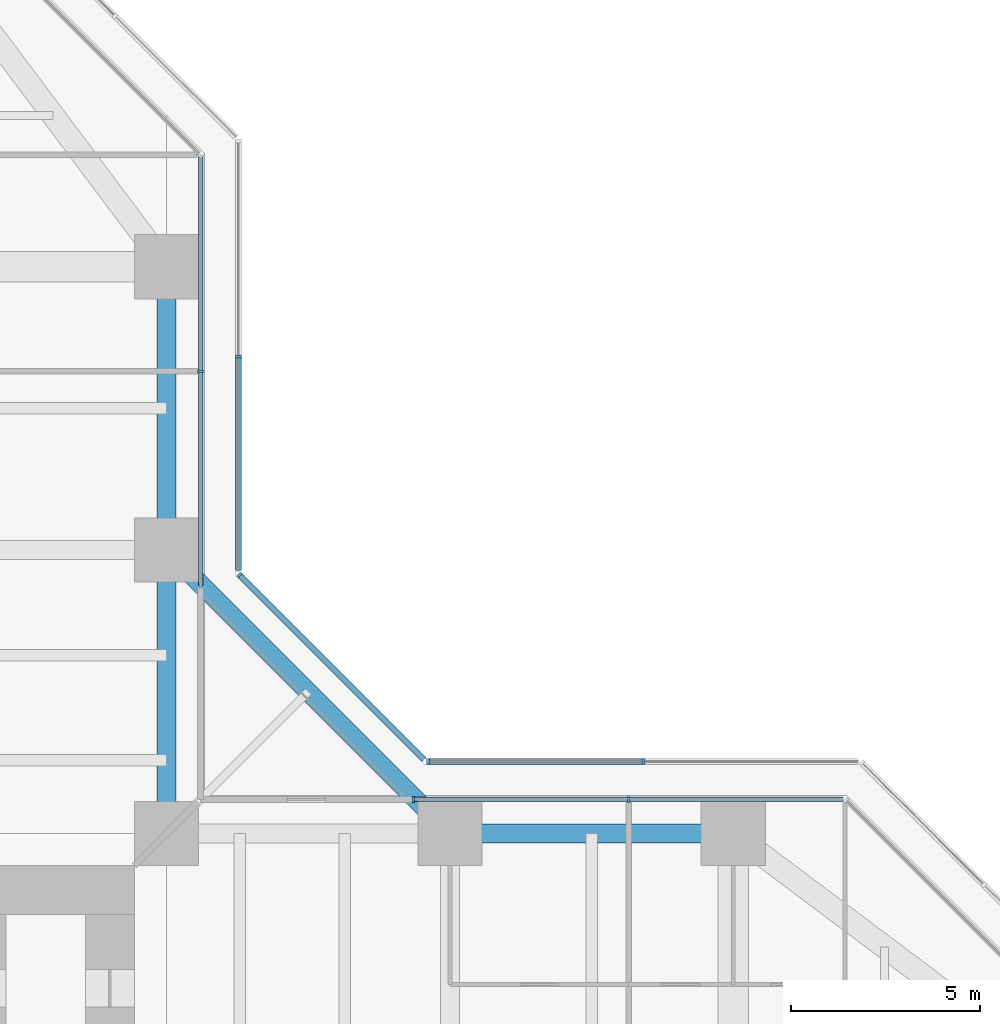
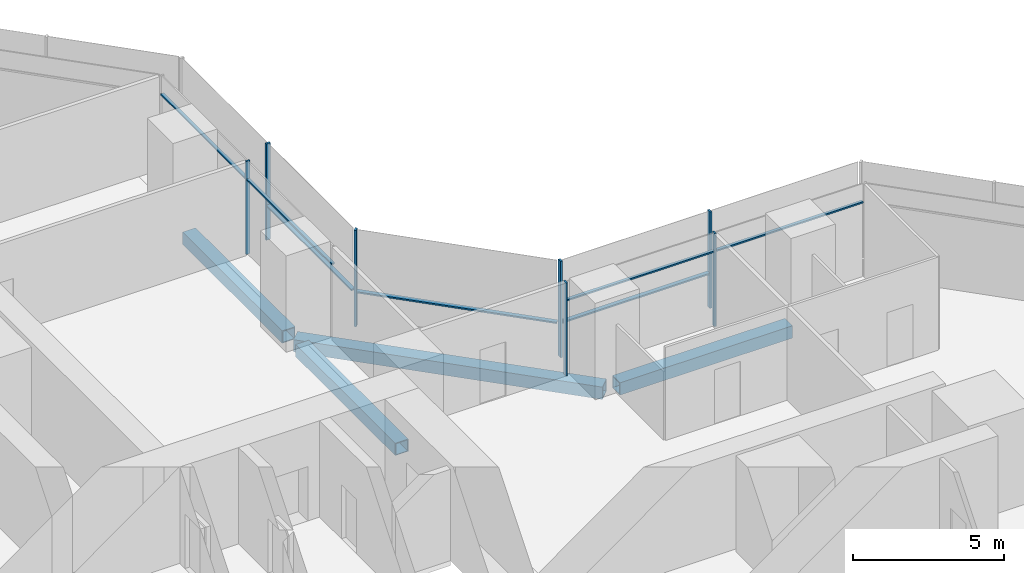
# One storey, part 11 of 22: 14 members, 4 beams, 5 elements without a shape of their own.
"""IFC4 building model written with IfcOpenShell, lengths in metres."""

from ifc_helpers import new_model, si_unit, direction, frame, origin, origin_2d, place, context, subcontext, project, spatial, rectangle, hollow_rectangle, extrude, material, material_profile, profile_set, type_object, element, aggregate, save


model = new_model("IFC4")

# Units and contexts
model_context = context("Model", 3, precision=1e-05, world=origin(), true_north=direction((0.0, 1.0)))
body_context = subcontext(model_context, "Body", "Model", "MODEL_VIEW")
ifc_project = project(units=[si_unit("LENGTHUNIT", "METRE"), si_unit("AREAUNIT", "SQUARE_METRE"), si_unit("VOLUMEUNIT", "CUBIC_METRE"), si_unit("PLANEANGLEUNIT", "RADIAN"), si_unit("MASSUNIT", "GRAM", prefix="KILO")], contexts=[model_context])

# Site, building, storey
site_placement = place(None, origin())
site = spatial("IfcSite", under=ifc_project, at=site_placement, CompositionType="ELEMENT")
building_placement = place(site_placement, origin())
building = spatial("IfcBuilding", under=site, at=building_placement, Name="Mizan Broadcast Tower", CompositionType="ELEMENT")
storey_placement = place(building_placement, frame((0.0, 0.0, 98.10009765625)))
storey = spatial("IfcBuildingStorey", under=building, at=storey_placement, Name="L21", CompositionType="ELEMENT", Elevation=98.10009765625)

# Beams
ifc_material_1 = material(Name="Steel S355", Category="steel")
ifc_material_profile_1 = material_profile(ifc_material_1, hollow_rectangle(XDim=0.5, YDim=0.5, WallThickness=0.030029296875, at=origin_2d()), Name="BOX 500x500x30")
ifc_profile_set_1 = profile_set([ifc_material_profile_1], Name="Steel S355")
beam_type = type_object("IfcBeamType", Name="EDGE BEAM BOX 500x500x30", PredefinedType="SPANDREL", material=ifc_profile_set_1)
for number, where, z_axis, x_axis, name in (
    (1, (19.949951171875, 12.0, -0.380126953125), (1.0, 0.0, 0.0), (0.0, 1.0, 0.0), "Edge beam BOX 500x500x30 L21 east arm"),
    (2, (12.0, 12.449951171875, -0.380126953125), (0.0, 1.0, 0.0), (-1.0, 0.0, 0.0), "Edge beam BOX 500x500x30 L21 north arm"),
    (3, (12.0, 19.949951171875, -0.380126953125), (0.0, 1.0, 0.0), (-1.0, 0.0, 0.0), "Edge beam BOX 500x500x30 L21 north arm"),
):
    element("IfcBeam", number, at=place(storey_placement, frame(where, z_axis=z_axis, x_axis=x_axis)), inside=storey, type_object=beam_type, Name=name, PredefinedType="SPANDREL", context=body_context, shape_type="SweptSolid", body=[
        extrude(hollow_rectangle(XDim=0.5, YDim=0.5, WallThickness=0.030029296875, at=origin_2d()), origin(), (0.0, 0.0, 1.0), 6.60009765625),
    ])
beam_placement = place(storey_placement, frame((19.5, 12.0, -0.380126953125), z_axis=(-0.707106781187, 0.707106781187, 0.0), x_axis=(-0.707106781187, -0.707106781187, 0.0)))
element("IfcBeam", 4, at=beam_placement, inside=storey, type_object=beam_type, Name="Winter garden edge beam L21 E", PredefinedType="SPANDREL", context=body_context, shape_type="SweptSolid", body=[
    extrude(hollow_rectangle(XDim=0.5, YDim=0.5, WallThickness=0.030029296875, at=origin_2d()), origin(), (0.0, 0.0, 1.0), 10.606689453125),
])

# Curtain wall, members
ifc_material_2 = material(Name="Aluminium framed glazing", Category="aluminium")
curtain_wall_type_1 = type_object("IfcCurtainWallType", Name="INNER SKIN LOW ZONE", PredefinedType="USERDEFINED", material=ifc_material_2)
curtain_wall_1_placement = place(storey_placement, origin())
curtain_wall_1 = element("IfcCurtainWall", 5, at=curtain_wall_1_placement, inside=storey, type_object=curtain_wall_type_1, Name="Inner skin low zone L21 E side", ObjectType="INNER SKIN LOW ZONE", PredefinedType="USERDEFINED")
ifc_material_3 = material(Name="Aluminium, pale anodised", Category="aluminium")
ifc_material_profile_2 = material_profile(ifc_material_3, rectangle(XDim=0.159912109375, YDim=0.06005859375, at=origin_2d()), Name="MULLION 160x60")
ifc_profile_set_2 = profile_set([ifc_material_profile_2], Name="Aluminium, pale anodised")
member_type_1 = type_object("IfcMemberType", Name="INNER SKIN MULLION 60x160", PredefinedType="MULLION", material=ifc_profile_set_2)
member_1_placement = place(storey_placement, frame((24.229248046875, 12.89990234375, 0.0), z_axis=(0.0, 0.0, 1.0), x_axis=(0.0, -1.0, 0.0)))
member_1 = element("IfcMember", 6, at=member_1_placement, type_object=member_type_1, Name="Inner skin low zone L21 E side mullion 2", PredefinedType="MULLION", context=body_context, shape_type="SweptSolid", body=[
    extrude(rectangle(XDim=0.159912109375, YDim=0.06005859375, at=origin_2d()), origin(), (0.0, 0.0, 1.0), 3.77001953125),
])
member_2_placement = place(storey_placement, frame((18.530029296875, 12.89990234375, 0.0), z_axis=(0.0, 0.0, 1.0), x_axis=(0.0, -1.0, 0.0)))
member_2 = element("IfcMember", 7, at=member_2_placement, type_object=member_type_1, Name="Inner skin low zone L21 E side mullion 3", PredefinedType="MULLION", context=body_context, shape_type="SweptSolid", body=[
    extrude(rectangle(XDim=0.159912109375, YDim=0.06005859375, at=origin_2d()), origin(), (0.0, 0.0, 1.0), 3.77001953125),
])

# Curtain wall, member
curtain_wall_2_placement = place(storey_placement, origin())
curtain_wall_2 = element("IfcCurtainWall", 8, at=curtain_wall_2_placement, inside=storey, type_object=curtain_wall_type_1, Name="Inner skin low zone L21 N side", ObjectType="INNER SKIN LOW ZONE", PredefinedType="USERDEFINED")
member_3_placement = place(storey_placement, frame((12.89990234375, 24.229248046875, 0.0), z_axis=(0.0, 0.0, 1.0), x_axis=(-1.0, 0.0, 0.0)))
member_3 = element("IfcMember", 9, at=member_3_placement, type_object=member_type_1, Name="Inner skin low zone L21 N side mullion 2", PredefinedType="MULLION", context=body_context, shape_type="SweptSolid", body=[
    extrude(rectangle(XDim=0.159912109375, YDim=0.06005859375, at=origin_2d()), origin(), (0.0, 0.0, 1.0), 3.77001953125),
])

# Member
ifc_material_4 = material(Name="Aluminium, pale anodised", Category="aluminium")
ifc_material_profile_3 = material_profile(ifc_material_4, rectangle(XDim=0.1201171875, YDim=0.06005859375, at=origin_2d()), Name="TRANSOM 120x60")
ifc_profile_set_3 = profile_set([ifc_material_profile_3], Name="Aluminium, pale anodised")
member_type_2 = type_object("IfcMemberType", Name="INNER SKIN TRANSOM 60x120", PredefinedType="USERDEFINED", material=ifc_profile_set_3)
member_4_placement = place(storey_placement, frame((29.898681640625, 12.89990234375, 3.02978515625), z_axis=(-1.0, 0.0, 0.0), x_axis=(0.0, -1.0, 0.0)))
member_4 = element("IfcMember", 10, at=member_4_placement, type_object=member_type_2, Name="Inner skin low zone L21 E side transom 1.1", ObjectType="TRANSOM", PredefinedType="USERDEFINED", context=body_context, shape_type="SweptSolid", body=[
    extrude(rectangle(XDim=0.1201171875, YDim=0.06005859375, at=origin_2d()), origin(), (0.0, 0.0, 1.0), 5.639404296875),
])

member_5_placement = place(storey_placement, frame((24.19921875, 12.89990234375, 3.02978515625), z_axis=(-1.0, 0.0, 0.0), x_axis=(0.0, -1.0, 0.0)))
member_5 = element("IfcMember", 11, at=member_5_placement, type_object=member_type_2, Name="Inner skin low zone L21 E side transom 2.1", ObjectType="TRANSOM", PredefinedType="USERDEFINED", context=body_context, shape_type="SweptSolid", body=[
    extrude(rectangle(XDim=0.1201171875, YDim=0.06005859375, at=origin_2d()), origin(), (0.0, 0.0, 1.0), 5.63916015625),
])

aggregate(curtain_wall_1, [member_1, member_2, member_4, member_5])

member_6_placement = place(storey_placement, frame((12.89990234375, 18.56005859375, 3.02978515625), z_axis=(0.0, 1.0, 0.0), x_axis=(-1.0, 0.0, 0.0)))
member_6 = element("IfcMember", 12, at=member_6_placement, type_object=member_type_2, Name="Inner skin low zone L21 N side transom 1.1", ObjectType="TRANSOM", PredefinedType="USERDEFINED", context=body_context, shape_type="SweptSolid", body=[
    extrude(rectangle(XDim=0.1201171875, YDim=0.06005859375, at=origin_2d()), origin(), (0.0, 0.0, 1.0), 5.63916015625),
])

member_7_placement = place(storey_placement, frame((12.89990234375, 24.25927734375, 3.02978515625), z_axis=(0.0, 1.0, 0.0), x_axis=(-1.0, 0.0, 0.0)))
member_7 = element("IfcMember", 13, at=member_7_placement, type_object=member_type_2, Name="Inner skin low zone L21 N side transom 2.1", ObjectType="TRANSOM", PredefinedType="USERDEFINED", context=body_context, shape_type="SweptSolid", body=[
    extrude(rectangle(XDim=0.1201171875, YDim=0.06005859375, at=origin_2d()), origin(), (0.0, 0.0, 1.0), 5.639404296875),
])

aggregate(curtain_wall_2, [member_3, member_6, member_7])

# Curtain wall, members
ifc_material_5 = material(Name="Aluminium framed glazing", Category="aluminium")
curtain_wall_type_2 = type_object("IfcCurtainWallType", Name="OUTER SKIN", PredefinedType="USERDEFINED", material=ifc_material_5)
curtain_wall_3_placement = place(storey_placement, origin())
curtain_wall_3 = element("IfcCurtainWall", 14, at=curtain_wall_3_placement, inside=storey, type_object=curtain_wall_type_2, Name="Outer skin L21 E side", ObjectType="OUTER SKIN", PredefinedType="USERDEFINED")
ifc_material_6 = material(Name="Aluminium, pale anodised", Category="aluminium")
ifc_material_profile_4 = material_profile(ifc_material_6, rectangle(XDim=0.159912109375, YDim=0.080078125, at=origin_2d()), Name="MULLION 160x80")
ifc_profile_set_4 = profile_set([ifc_material_profile_4], Name="Aluminium, pale anodised")
member_type_3 = type_object("IfcMemberType", Name="OUTER SKIN MULLION 80x160", PredefinedType="MULLION", material=ifc_profile_set_4)
member_8_placement = place(storey_placement, frame((24.622802734375, 13.89990234375, 0.0), z_axis=(0.0, 0.0, 1.0), x_axis=(0.0, -1.0, 0.0)))
member_8 = element("IfcMember", 15, at=member_8_placement, type_object=member_type_3, Name="Outer skin L21 E side mullion 2", PredefinedType="MULLION", context=body_context, shape_type="SweptSolid", body=[
    extrude(rectangle(XDim=0.159912109375, YDim=0.080078125, at=origin_2d()), origin(), (0.0, 0.0, 1.0), 3.89990234375),
])
member_9_placement = place(storey_placement, frame((18.912841796875, 13.89990234375, 0.0), z_axis=(0.0, 0.0, 1.0), x_axis=(0.0, -1.0, 0.0)))
member_9 = element("IfcMember", 16, at=member_9_placement, type_object=member_type_3, Name="Outer skin L21 E side mullion 3", PredefinedType="MULLION", context=body_context, shape_type="SweptSolid", body=[
    extrude(rectangle(XDim=0.159912109375, YDim=0.080078125, at=origin_2d()), origin(), (0.0, 0.0, 1.0), 3.89990234375),
])

# Curtain wall, member
curtain_wall_4_placement = place(storey_placement, origin())
curtain_wall_4 = element("IfcCurtainWall", 17, at=curtain_wall_4_placement, inside=storey, type_object=curtain_wall_type_2, Name="Outer skin L21 E chamfer", ObjectType="OUTER SKIN", PredefinedType="USERDEFINED")
member_10_placement = place(storey_placement, frame((13.92822265625, 18.844482421875, 0.0), z_axis=(0.0, 0.0, 1.0), x_axis=(-0.707106781187, -0.707106781187, 0.0)))
member_10 = element("IfcMember", 18, at=member_10_placement, type_object=member_type_3, Name="Outer skin L21 E chamfer mullion 2", PredefinedType="MULLION", context=body_context, shape_type="SweptSolid", body=[
    extrude(rectangle(XDim=0.159912109375, YDim=0.080078125, at=origin_2d()), origin(), (0.0, 0.0, 1.0), 3.89990234375),
])

curtain_wall_5_placement = place(storey_placement, origin())
curtain_wall_5 = element("IfcCurtainWall", 19, at=curtain_wall_5_placement, inside=storey, type_object=curtain_wall_type_2, Name="Outer skin L21 N side", ObjectType="OUTER SKIN", PredefinedType="USERDEFINED")
member_11_placement = place(storey_placement, frame((13.89990234375, 24.622802734375, 0.0), z_axis=(0.0, 0.0, 1.0), x_axis=(-1.0, 0.0, 0.0)))
member_11 = element("IfcMember", 20, at=member_11_placement, type_object=member_type_3, Name="Outer skin L21 N side mullion 2", PredefinedType="MULLION", context=body_context, shape_type="SweptSolid", body=[
    extrude(rectangle(XDim=0.159912109375, YDim=0.080078125, at=origin_2d()), origin(), (0.0, 0.0, 1.0), 3.89990234375),
])

# Member
ifc_material_7 = material(Name="Aluminium, pale anodised", Category="aluminium")
ifc_material_profile_5 = material_profile(ifc_material_7, rectangle(XDim=0.159912109375, YDim=0.06005859375, at=origin_2d()), Name="TRANSOM 160x60")
ifc_profile_set_5 = profile_set([ifc_material_profile_5], Name="Aluminium, pale anodised")
member_type_4 = type_object("IfcMemberType", Name="OUTER SKIN TRANSOM 60x160", PredefinedType="USERDEFINED", material=ifc_profile_set_5)
member_12_placement = place(storey_placement, frame((24.582763671875, 13.89990234375, 1.39990234375), z_axis=(-1.0, 0.0, 0.0), x_axis=(0.0, -1.0, 0.0)))
member_12 = element("IfcMember", 21, at=member_12_placement, type_object=member_type_4, Name="Outer skin L21 E side transom 2.1", ObjectType="TRANSOM", PredefinedType="USERDEFINED", context=body_context, shape_type="SweptSolid", body=[
    extrude(rectangle(XDim=0.159912109375, YDim=0.06005859375, at=origin_2d()), origin(), (0.0, 0.0, 1.0), 5.6298828125),
])

aggregate(curtain_wall_3, [member_8, member_9, member_12])

member_13_placement = place(storey_placement, frame((18.816162109375, 13.95654296875, 1.39990234375), z_axis=(-0.707106781187, 0.707106781187, 0.0), x_axis=(-0.707106781187, -0.707106781187, 0.0)))
member_13 = element("IfcMember", 22, at=member_13_placement, type_object=member_type_4, Name="Outer skin L21 E chamfer transom 1.1", ObjectType="TRANSOM", PredefinedType="USERDEFINED", context=body_context, shape_type="SweptSolid", body=[
    extrude(rectangle(XDim=0.159912109375, YDim=0.06005859375, at=origin_2d()), origin(), (0.0, 0.0, 1.0), 6.87255859375),
])

aggregate(curtain_wall_4, [member_10, member_13])

member_14_placement = place(storey_placement, frame((13.89990234375, 18.952880859375, 1.39990234375), z_axis=(0.0, 1.0, 0.0), x_axis=(-1.0, 0.0, 0.0)))
member_14 = element("IfcMember", 23, at=member_14_placement, type_object=member_type_4, Name="Outer skin L21 N side transom 1.1", ObjectType="TRANSOM", PredefinedType="USERDEFINED", context=body_context, shape_type="SweptSolid", body=[
    extrude(rectangle(XDim=0.159912109375, YDim=0.06005859375, at=origin_2d()), origin(), (0.0, 0.0, 1.0), 5.6298828125),
])

aggregate(curtain_wall_5, [member_11, member_14])

save(model, "model.ifc")
